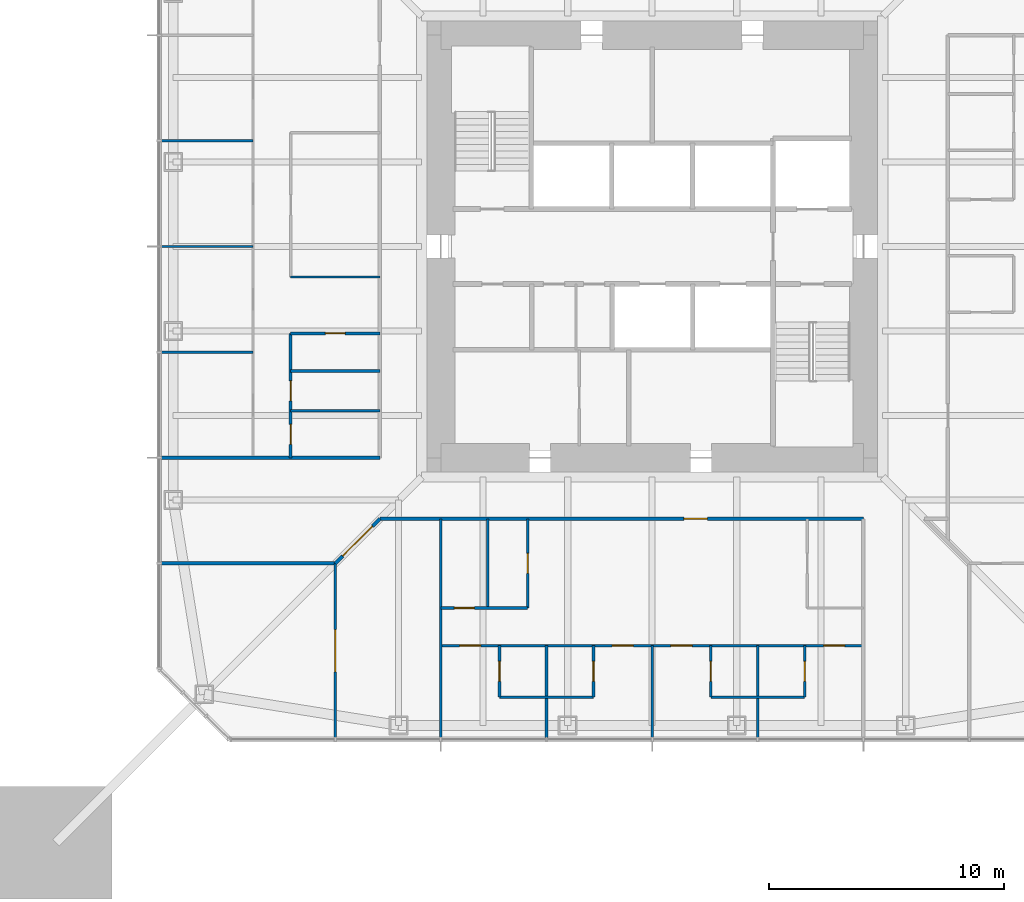
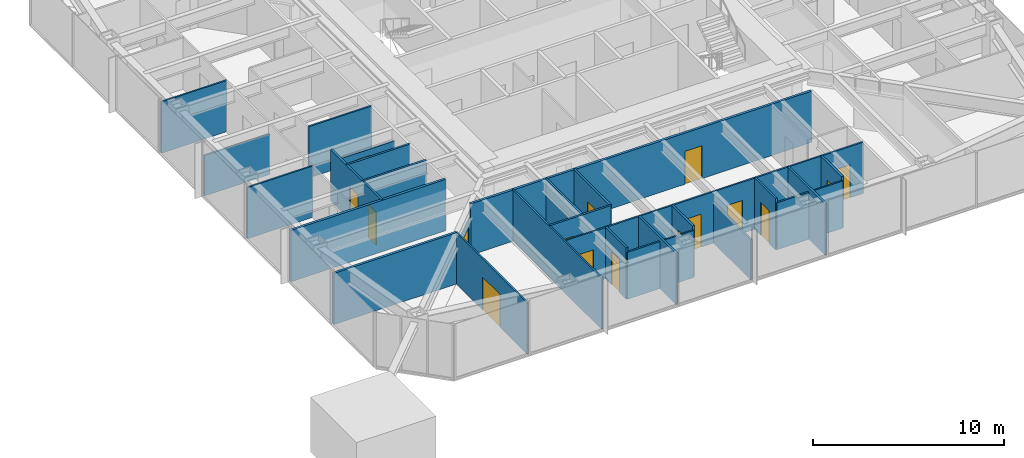
# One storey, part 15 of 27: 27 walls, 16 doors, 16 openings.
"""IFC4 building model written with IfcOpenShell, lengths in metres."""

from ifc_helpers import new_model, si_unit, direction, frame, frame_2d, origin, place, context, subcontext, project, spatial, rectangle, extrude, material, layer, layer_set, type_object, element, fill, save


model = new_model("IFC4")

# Units and contexts
model_context = context("Model", 3, precision=1e-05, world=origin(), true_north=direction((0.0, 1.0)))
body_context = subcontext(model_context, "Body", "Model", "MODEL_VIEW")
ifc_project = project(units=[si_unit("LENGTHUNIT", "METRE"), si_unit("AREAUNIT", "SQUARE_METRE"), si_unit("VOLUMEUNIT", "CUBIC_METRE"), si_unit("PLANEANGLEUNIT", "RADIAN"), si_unit("MASSUNIT", "GRAM", prefix="KILO")], contexts=[model_context])

# Site, building, storey
site_placement = place(None, origin())
site = spatial("IfcSite", under=ifc_project, at=site_placement, CompositionType="ELEMENT")
building_placement = place(site_placement, origin())
building = spatial("IfcBuilding", under=site, at=building_placement, Name="Iwan Alto Co-Living Towers", CompositionType="ELEMENT")
storey_placement = place(building_placement, frame((0.0, 0.0, 94.5)))
storey = spatial("IfcBuildingStorey", under=building, at=storey_placement, Name="L25", CompositionType="ELEMENT", Elevation=94.5)

# Wall
ifc_material_1 = material(Name="Gypsum board")
ifc_layer_1 = layer(ifc_material_1, 0.02490234375, Name="Board", Category="Finish")
ifc_material_2 = material(Name="Steel ASTM A1003 ST33H cold-formed studs", Category="steel")
ifc_layer_2 = layer(ifc_material_2, 0.10009765625, Name="Studs", Category="Framing")
ifc_layer_3 = layer(ifc_material_1, 0.02490234375, Name="Board", Category="Finish")
ifc_layer_set_1 = layer_set([ifc_layer_1, ifc_layer_2, ifc_layer_3], Name="CORRIDOR WALL 150")
wall_type_1 = type_object("IfcWallType", Name="CORRIDOR WALL 150", PredefinedType="PARTITIONING", material=ifc_layer_set_1)
wall_1_placement = place(storey_placement, frame((-20.93994140625, -13.5, 0.0), z_axis=(0.0, 0.0, 1.0), x_axis=(1.0, 0.0, 0.0)))
element("IfcWall", 1, at=wall_1_placement, inside=storey, type_object=wall_type_1, Name="Partition L25", PredefinedType="PARTITIONING", context=body_context, shape_type="SweptSolid", body=[
    extrude(rectangle(XDim=7.43994140625, YDim=0.14990234375, at=frame_2d((3.719970703125, 0.0))), origin(), (0.0, 0.0, 1.0), 3.27001953125),
])

# Wall, opening, door
wall_2_placement = place(storey_placement, frame((-11.60009765625, -11.60009765625, 0.0), z_axis=(0.0, 0.0, 1.0), x_axis=(1.0, 0.0, 0.0)))
wall_2 = element("IfcWall", 2, at=wall_2_placement, inside=storey, type_object=wall_type_1, Name="Partition L25", PredefinedType="PARTITIONING", context=body_context, shape_type="SweptSolid", body=[
    extrude(rectangle(XDim=20.60009765625, YDim=0.14990234375, at=frame_2d((10.300048828125, 0.0))), origin(), (0.0, 0.0, 1.0), 3.27001953125),
])
opening_1_placement = place(wall_2_placement, frame((12.949951171875, 0.0, 0.0)))
opening_1 = element("IfcOpeningElement", 3, at=opening_1_placement, cuts=wall_2, Name="Opening D3", PredefinedType="OPENING", context=body_context, shape_type="SweptSolid", body=[
    extrude(rectangle(XDim=1.0, YDim=2.10009765625, at=frame_2d((0.5, 1.050048828125))), frame((0.0, 0.0849609375, 0.0), z_axis=(0.0, -1.0, 0.0), x_axis=(1.0, 0.0, 0.0)), (0.0, 0.0, 1.0), 0.169921875),
])
ifc_material_3 = material(Name="Steel frame with timber leaf", Category="steel")
door_type_1 = type_object("IfcDoorType", Name="FLAT ENTRANCE DOOR FD30S 1000X2100", OperationType="SINGLE_SWING_LEFT", PredefinedType="DOOR", material=ifc_material_3)
door_1_placement = place(opening_1_placement, frame((1.0, 0.0, 0.0), z_axis=(0.0, 0.0, 1.0), x_axis=(-1.0, 0.0, 0.0)))
door_1 = element("IfcDoor", 4, at=door_1_placement, inside=storey, type_object=door_type_1, Name="Cluster lounge and shared kitchen door L25", OperationType="SINGLE_SWING_LEFT", OverallHeight=2.10009765625, OverallWidth=1.0, PredefinedType="DOOR", context=body_context, shape_type="SweptSolid", body=[
    extrude(rectangle(XDim=1.0, YDim=2.10009765625, at=frame_2d((0.5, 1.050048828125))), frame((0.0, 0.02490234375, 0.0), z_axis=(0.0, -1.0, 0.0), x_axis=(1.0, 0.0, 0.0)), (0.0, 0.0, 1.0), 0.050048828125),
])
fill(opening_1, door_1)

# Wall
wall_3_placement = place(storey_placement, frame((-20.93994140625, -9.0, 0.0), z_axis=(0.0, 0.0, 1.0), x_axis=(1.0, 0.0, 0.0)))
element("IfcWall", 5, at=wall_3_placement, inside=storey, type_object=wall_type_1, Name="Partition L25", PredefinedType="PARTITIONING", context=body_context, shape_type="SweptSolid", body=[
    extrude(rectangle(XDim=9.33984375, YDim=0.14990234375, at=frame_2d((4.669921875, 0.0))), origin(), (0.0, 0.0, 1.0), 3.27001953125),
])

# Wall, opening, door
wall_4_placement = place(storey_placement, frame((-13.5, -13.5, 0.0), z_axis=(0.0, 0.0, 1.0), x_axis=(0.707106781187, 0.707106781187, 0.0)))
wall_4 = element("IfcWall", 6, at=wall_4_placement, inside=storey, type_object=wall_type_1, Name="Partition L25", PredefinedType="PARTITIONING", context=body_context, shape_type="SweptSolid", body=[
    extrude(rectangle(XDim=2.686767578125, YDim=0.14990234375, at=frame_2d((1.34326171875, 0.0))), origin(), (0.0, 0.0, 1.0), 2.343017578125),
])
opening_2_placement = place(wall_4_placement, frame((0.444091796875, 0.0, 0.0)))
opening_2 = element("IfcOpeningElement", 7, at=opening_2_placement, cuts=wall_4, Name="Opening D9", PredefinedType="OPENING", context=body_context, shape_type="SweptSolid", body=[
    extrude(rectangle(XDim=1.800048828125, YDim=2.10009765625, at=frame_2d((0.89990234375, 1.050048828125))), frame((0.0, 0.0849609375, 0.0), z_axis=(0.0, -1.0, 0.0), x_axis=(1.0, 0.0, 0.0)), (0.0, 0.0, 1.0), 0.169921875),
])
ifc_material_4 = material(Name="Steel frame with timber leaf", Category="steel")
door_type_2 = type_object("IfcDoorType", Name="LOUNGE DOOR FD30S 1800X2100", OperationType="DOUBLE_DOOR_SINGLE_SWING", PredefinedType="DOOR", material=ifc_material_4)
door_2_placement = place(opening_2_placement, frame((1.800048828125, 0.0, 0.0), z_axis=(0.0, 0.0, 1.0), x_axis=(-1.0, 0.0, 0.0)))
door_2 = element("IfcDoor", 8, at=door_2_placement, inside=storey, type_object=door_type_2, Name="Seminar room door L25", OperationType="DOUBLE_DOOR_SINGLE_SWING", OverallHeight=2.10009765625, OverallWidth=1.800048828125, PredefinedType="DOOR", context=body_context, shape_type="SweptSolid", body=[
    extrude(rectangle(XDim=1.800048828125, YDim=2.10009765625, at=frame_2d((0.89990234375, 1.050048828125))), frame((0.0, 0.02490234375, 0.0), z_axis=(0.0, -1.0, 0.0), x_axis=(1.0, 0.0, 0.0)), (0.0, 0.0, 1.0), 0.050048828125),
])
fill(opening_2, door_2)

# Walls
ifc_layer_4 = layer(ifc_material_1, 0.012451171875, Name="Board", Category="Finish")
ifc_layer_5 = layer(ifc_material_2, 0.074951171875, Name="Studs", Category="Framing")
ifc_layer_6 = layer(ifc_material_1, 0.012451171875, Name="Board", Category="Finish")
ifc_layer_set_2 = layer_set([ifc_layer_4, ifc_layer_5, ifc_layer_6], Name="PARTITION 100")
wall_type_2 = type_object("IfcWallType", Name="PARTITION 100", PredefinedType="PARTITIONING", material=ifc_layer_set_2)
for number, where, z_axis, x_axis, name in (
    (9, (-6.5, -19.199951171875, 0.0), (0.0, 0.0, 1.0), (1.0, 0.0, 0.0), "Partition L25"),
    (10, (2.5, -19.199951171875, 0.0), (0.0, 0.0, 1.0), (1.0, 0.0, 0.0), "Partition L25"),
):
    element("IfcWall", number, at=place(storey_placement, frame(where, z_axis=z_axis, x_axis=x_axis)), inside=storey, type_object=wall_type_2, Name=name, PredefinedType="PARTITIONING", context=body_context, shape_type="SweptSolid", body=[
        extrude(rectangle(XDim=4.0, YDim=0.10009765625, at=frame_2d((2.0, 0.0))), origin(), (0.0, 0.0, 1.0), 3.0),
    ])

# Wall, openings, doors
wall_5_placement = place(storey_placement, frame((-9.0, -17.0, 0.0), z_axis=(0.0, 0.0, 1.0), x_axis=(1.0, 0.0, 0.0)))
wall_5 = element("IfcWall", 11, at=wall_5_placement, inside=storey, type_object=wall_type_2, Name="Partition L25", PredefinedType="PARTITIONING", context=body_context, shape_type="SweptSolid", body=[
    extrude(rectangle(XDim=18.0, YDim=0.10009765625, at=frame_2d((9.0, 0.0))), origin(), (0.0, 0.0, 1.0), 3.27001953125),
])
opening_3_placement = place(wall_5_placement, frame((0.800048828125, 0.0, 0.0)))
opening_3 = element("IfcOpeningElement", 12, at=opening_3_placement, cuts=wall_5, Name="Opening D1", PredefinedType="OPENING", context=body_context, shape_type="SweptSolid", body=[
    extrude(rectangle(XDim=0.89990234375, YDim=2.10009765625, at=frame_2d((0.449951171875, 1.050048828125))), frame((0.0, 0.06005859375, 0.0), z_axis=(0.0, -1.0, 0.0), x_axis=(1.0, 0.0, 0.0)), (0.0, 0.0, 1.0), 0.1201171875),
])
opening_4_placement = place(wall_5_placement, frame((7.300048828125, 0.0, 0.0)))
opening_4 = element("IfcOpeningElement", 13, at=opening_4_placement, cuts=wall_5, Name="Opening D1", PredefinedType="OPENING", context=body_context, shape_type="SweptSolid", body=[
    extrude(rectangle(XDim=0.89990234375, YDim=2.10009765625, at=frame_2d((0.449951171875, 1.050048828125))), frame((0.0, 0.06005859375, 0.0), z_axis=(0.0, -1.0, 0.0), x_axis=(1.0, 0.0, 0.0)), (0.0, 0.0, 1.0), 0.1201171875),
])
opening_5_placement = place(wall_5_placement, frame((9.800048828125, 0.0, 0.0)))
opening_5 = element("IfcOpeningElement", 14, at=opening_5_placement, cuts=wall_5, Name="Opening D1", PredefinedType="OPENING", context=body_context, shape_type="SweptSolid", body=[
    extrude(rectangle(XDim=0.89990234375, YDim=2.10009765625, at=frame_2d((0.449951171875, 1.050048828125))), frame((0.0, 0.06005859375, 0.0), z_axis=(0.0, -1.0, 0.0), x_axis=(1.0, 0.0, 0.0)), (0.0, 0.0, 1.0), 0.1201171875),
])
opening_6_placement = place(wall_5_placement, frame((16.300048828125, 0.0, 0.0)))
opening_6 = element("IfcOpeningElement", 15, at=opening_6_placement, cuts=wall_5, Name="Opening D1", PredefinedType="OPENING", context=body_context, shape_type="SweptSolid", body=[
    extrude(rectangle(XDim=0.89990234375, YDim=2.10009765625, at=frame_2d((0.449951171875, 1.050048828125))), frame((0.0, 0.06005859375, 0.0), z_axis=(0.0, -1.0, 0.0), x_axis=(1.0, 0.0, 0.0)), (0.0, 0.0, 1.0), 0.1201171875),
])
ifc_material_5 = material(Name="Timber leaf in steel frame", Category="steel")
door_type_3 = type_object("IfcDoorType", Name="BEDROOM DOOR 900X2100", OperationType="SINGLE_SWING_LEFT", PredefinedType="DOOR", material=ifc_material_5)
door_3_placement = place(opening_3_placement, origin())
door_3 = element("IfcDoor", 16, at=door_3_placement, inside=storey, type_object=door_type_3, Name="Study bedroom door L25", OperationType="SINGLE_SWING_LEFT", OverallHeight=2.10009765625, OverallWidth=0.89990234375, PredefinedType="DOOR", context=body_context, shape_type="SweptSolid", body=[
    extrude(rectangle(XDim=0.89990234375, YDim=2.10009765625, at=frame_2d((0.449951171875, 1.050048828125))), frame((0.0, 0.02490234375, 0.0), z_axis=(0.0, -1.0, 0.0), x_axis=(1.0, 0.0, 0.0)), (0.0, 0.0, 1.0), 0.050048828125),
])
fill(opening_3, door_3)
door_4_placement = place(opening_4_placement, origin())
door_4 = element("IfcDoor", 17, at=door_4_placement, inside=storey, type_object=door_type_3, Name="Study bedroom door L25", OperationType="SINGLE_SWING_LEFT", OverallHeight=2.10009765625, OverallWidth=0.89990234375, PredefinedType="DOOR", context=body_context, shape_type="SweptSolid", body=[
    extrude(rectangle(XDim=0.89990234375, YDim=2.10009765625, at=frame_2d((0.449951171875, 1.050048828125))), frame((0.0, 0.02490234375, 0.0), z_axis=(0.0, -1.0, 0.0), x_axis=(1.0, 0.0, 0.0)), (0.0, 0.0, 1.0), 0.050048828125),
])
fill(opening_4, door_4)
door_5_placement = place(opening_5_placement, origin())
door_5 = element("IfcDoor", 18, at=door_5_placement, inside=storey, type_object=door_type_3, Name="Study bedroom door L25", OperationType="SINGLE_SWING_RIGHT", OverallHeight=2.10009765625, OverallWidth=0.89990234375, PredefinedType="DOOR", context=body_context, shape_type="SweptSolid", body=[
    extrude(rectangle(XDim=0.89990234375, YDim=2.10009765625, at=frame_2d((0.449951171875, 1.050048828125))), frame((0.0, 0.02490234375, 0.0), z_axis=(0.0, -1.0, 0.0), x_axis=(1.0, 0.0, 0.0)), (0.0, 0.0, 1.0), 0.050048828125),
])
fill(opening_5, door_5)
door_6_placement = place(opening_6_placement, origin())
door_6 = element("IfcDoor", 19, at=door_6_placement, inside=storey, type_object=door_type_3, Name="Study bedroom door L25", OperationType="SINGLE_SWING_RIGHT", OverallHeight=2.10009765625, OverallWidth=0.89990234375, PredefinedType="DOOR", context=body_context, shape_type="SweptSolid", body=[
    extrude(rectangle(XDim=0.89990234375, YDim=2.10009765625, at=frame_2d((0.449951171875, 1.050048828125))), frame((0.0, 0.02490234375, 0.0), z_axis=(0.0, -1.0, 0.0), x_axis=(1.0, 0.0, 0.0)), (0.0, 0.0, 1.0), 0.050048828125),
])
fill(opening_6, door_6)

# Walls
wall_6_placement = place(storey_placement, frame((-20.93994140625, -4.5, 0.0), z_axis=(0.0, 0.0, 1.0), x_axis=(1.0, 0.0, 0.0)))
element("IfcWall", 20, at=wall_6_placement, inside=storey, type_object=wall_type_2, Name="Partition L25", PredefinedType="PARTITIONING", context=body_context, shape_type="SweptSolid", body=[
    extrude(rectangle(XDim=3.93994140625, YDim=0.10009765625, at=frame_2d((1.969970703125, 0.0))), origin(), (0.0, 0.0, 1.0), 3.27001953125),
])
wall_7_placement = place(storey_placement, frame((-15.39990234375, -1.300048828125, 0.0), z_axis=(0.0, 0.0, 1.0), x_axis=(1.0, 0.0, 0.0)))
element("IfcWall", 21, at=wall_7_placement, inside=storey, type_object=wall_type_2, Name="Partition L25", PredefinedType="PARTITIONING", context=body_context, shape_type="SweptSolid", body=[
    extrude(rectangle(XDim=3.7998046875, YDim=0.10009765625, at=frame_2d((1.89990234375, 0.0))), origin(), (0.0, 0.0, 1.0), 3.27001953125),
])
wall_8_placement = place(storey_placement, frame((-20.93994140625, 0.0, 0.0), z_axis=(0.0, 0.0, 1.0), x_axis=(1.0, 0.0, 0.0)))
element("IfcWall", 22, at=wall_8_placement, inside=storey, type_object=wall_type_2, Name="Partition L25", PredefinedType="PARTITIONING", context=body_context, shape_type="SweptSolid", body=[
    extrude(rectangle(XDim=3.93994140625, YDim=0.10009765625, at=frame_2d((1.969970703125, 0.0))), origin(), (0.0, 0.0, 1.0), 2.586669921875),
])
wall_9_placement = place(storey_placement, frame((-20.93994140625, 4.5, 0.0), z_axis=(0.0, 0.0, 1.0), x_axis=(1.0, 0.0, 0.0)))
element("IfcWall", 23, at=wall_9_placement, inside=storey, type_object=wall_type_2, Name="Partition L25", PredefinedType="PARTITIONING", context=body_context, shape_type="SweptSolid", body=[
    extrude(rectangle(XDim=3.93994140625, YDim=0.10009765625, at=frame_2d((1.969970703125, 0.0))), origin(), (0.0, 0.0, 1.0), 3.27001953125),
])
wall_10_placement = place(storey_placement, frame((0.0, -20.93994140625, 0.0), z_axis=(0.0, 0.0, 1.0), x_axis=(0.0, 1.0, 0.0)))
element("IfcWall", 24, at=wall_10_placement, inside=storey, type_object=wall_type_2, Name="Partition L25", PredefinedType="PARTITIONING", context=body_context, shape_type="SweptSolid", body=[
    extrude(rectangle(XDim=3.93994140625, YDim=0.10009765625, at=frame_2d((1.969970703125, 0.0))), origin(), (0.0, 0.0, 1.0), 2.586669921875),
])
wall_11_placement = place(storey_placement, frame((-9.0, -20.93994140625, 0.0), z_axis=(0.0, 0.0, 1.0), x_axis=(0.0, 1.0, 0.0)))
element("IfcWall", 25, at=wall_11_placement, inside=storey, type_object=wall_type_2, Name="Partition L25", PredefinedType="PARTITIONING", context=body_context, shape_type="SweptSolid", body=[
    extrude(rectangle(XDim=9.33984375, YDim=0.10009765625, at=frame_2d((4.669921875, 0.0))), origin(), (0.0, 0.0, 1.0), 3.27001953125),
])

# Wall, opening, door
wall_12_placement = place(storey_placement, frame((-13.5, -20.93994140625, 0.0), z_axis=(0.0, 0.0, 1.0), x_axis=(0.0, 1.0, 0.0)))
wall_12 = element("IfcWall", 26, at=wall_12_placement, inside=storey, type_object=wall_type_2, Name="Partition L25", PredefinedType="PARTITIONING", context=body_context, shape_type="SweptSolid", body=[
    extrude(rectangle(XDim=7.43994140625, YDim=0.10009765625, at=frame_2d((3.719970703125, 0.0))), origin(), (0.0, 0.0, 1.0), 3.27001953125),
])
opening_7_placement = place(wall_12_placement, frame((2.820068359375, 0.0, 0.0)))
opening_7 = element("IfcOpeningElement", 27, at=opening_7_placement, cuts=wall_12, Name="Opening D14", PredefinedType="OPENING", context=body_context, shape_type="SweptSolid", body=[
    extrude(rectangle(XDim=1.800048828125, YDim=2.10009765625, at=frame_2d((0.89990234375, 1.050048828125))), frame((0.0, 0.06005859375, 0.0), z_axis=(0.0, -1.0, 0.0), x_axis=(1.0, 0.0, 0.0)), (0.0, 0.0, 1.0), 0.1201171875),
])
ifc_material_6 = material(Name="Timber leaf in steel frame", Category="steel")
door_type_4 = type_object("IfcDoorType", Name="LOUNGE DOOR 1800X2100", OperationType="DOUBLE_DOOR_SINGLE_SWING", PredefinedType="DOOR", material=ifc_material_6)
door_7_placement = place(opening_7_placement, origin())
door_7 = element("IfcDoor", 28, at=door_7_placement, inside=storey, type_object=door_type_4, Name="Courtyard lounge door L25", OperationType="DOUBLE_DOOR_SINGLE_SWING", OverallHeight=2.10009765625, OverallWidth=1.800048828125, PredefinedType="DOOR", context=body_context, shape_type="SweptSolid", body=[
    extrude(rectangle(XDim=1.800048828125, YDim=2.10009765625, at=frame_2d((0.89990234375, 1.050048828125))), frame((0.0, 0.02490234375, 0.0), z_axis=(0.0, -1.0, 0.0), x_axis=(1.0, 0.0, 0.0)), (0.0, 0.0, 1.0), 0.050048828125),
])
fill(opening_7, door_7)

ifc_material_7 = material(Name="Cement board")
ifc_layer_7 = layer(ifc_material_7, 0.012451171875, Name="Board", Category="Finish")
ifc_layer_8 = layer(ifc_material_2, 0.094970703125, Name="Studs", Category="Framing")
ifc_layer_9 = layer(ifc_material_7, 0.012451171875, Name="Board", Category="Finish")
ifc_layer_set_3 = layer_set([ifc_layer_7, ifc_layer_8, ifc_layer_9], Name="WET AREA PARTITION 120")
wall_type_3 = type_object("IfcWallType", Name="WET AREA PARTITION 120", PredefinedType="PARTITIONING", material=ifc_layer_set_3)
wall_13_placement = place(storey_placement, frame((-9.0, -15.39990234375, 0.0), z_axis=(0.0, 0.0, 1.0), x_axis=(1.0, 0.0, 0.0)))
wall_13 = element("IfcWall", 29, at=wall_13_placement, inside=storey, type_object=wall_type_3, Name="Partition L25", PredefinedType="PARTITIONING", context=body_context, shape_type="SweptSolid", body=[
    extrude(rectangle(XDim=3.699951171875, YDim=0.1201171875, at=frame_2d((1.85009765625, 0.0))), origin(), (0.0, 0.0, 1.0), 3.27001953125),
])
opening_8_placement = place(wall_13_placement, frame((0.574951171875, 0.0, 0.0)))
opening_8 = element("IfcOpeningElement", 30, at=opening_8_placement, cuts=wall_13, Name="Opening D2", PredefinedType="OPENING", context=body_context, shape_type="SweptSolid", body=[
    extrude(rectangle(XDim=0.85009765625, YDim=2.10009765625, at=frame_2d((0.425048828125, 1.050048828125))), frame((0.0, 0.070068359375, 0.0), z_axis=(0.0, -1.0, 0.0), x_axis=(1.0, 0.0, 0.0)), (0.0, 0.0, 1.0), 0.14013671875),
])
ifc_material_8 = material(Name="Timber leaf in steel frame", Category="steel")
door_type_5 = type_object("IfcDoorType", Name="ROOM DOOR 850X2100", OperationType="SINGLE_SWING_LEFT", PredefinedType="DOOR", material=ifc_material_8)
door_8_placement = place(opening_8_placement, frame((0.85009765625, 0.0, 0.0), z_axis=(0.0, 0.0, 1.0), x_axis=(-1.0, 0.0, 0.0)))
door_8 = element("IfcDoor", 31, at=door_8_placement, inside=storey, type_object=door_type_5, Name="Laundry door L25", OperationType="SINGLE_SWING_RIGHT", OverallHeight=2.10009765625, OverallWidth=0.85009765625, PredefinedType="DOOR", context=body_context, shape_type="SweptSolid", body=[
    extrude(rectangle(XDim=0.85009765625, YDim=2.10009765625, at=frame_2d((0.425048828125, 1.050048828125))), frame((0.0, 0.02490234375, 0.0), z_axis=(0.0, -1.0, 0.0), x_axis=(1.0, 0.0, 0.0)), (0.0, 0.0, 1.0), 0.050048828125),
])
fill(opening_8, door_8)

# Walls
for number, where, z_axis, x_axis, name in (
    (32, (-15.39990234375, -7.0, 0.0), (0.0, 0.0, 1.0), (1.0, 0.0, 0.0), "Partition L25"),
    (33, (-15.39990234375, -5.300048828125, 0.0), (0.0, 0.0, 1.0), (1.0, 0.0, 0.0), "Partition L25"),
):
    element("IfcWall", number, at=place(storey_placement, frame(where, z_axis=z_axis, x_axis=x_axis)), inside=storey, type_object=wall_type_3, Name=name, PredefinedType="PARTITIONING", context=body_context, shape_type="SweptSolid", body=[
        extrude(rectangle(XDim=3.7998046875, YDim=0.1201171875, at=frame_2d((1.89990234375, 0.0))), origin(), (0.0, 0.0, 1.0), 3.27001953125),
    ])

# Wall, opening, door
wall_14_placement = place(storey_placement, frame((-15.39990234375, -3.699951171875, 0.0), z_axis=(0.0, 0.0, 1.0), x_axis=(1.0, 0.0, 0.0)))
wall_14 = element("IfcWall", 34, at=wall_14_placement, inside=storey, type_object=wall_type_3, Name="Partition L25", PredefinedType="PARTITIONING", context=body_context, shape_type="SweptSolid", body=[
    extrude(rectangle(XDim=3.7998046875, YDim=0.1201171875, at=frame_2d((1.89990234375, 0.0))), origin(), (0.0, 0.0, 1.0), 2.508056640625),
])
opening_9_placement = place(wall_14_placement, frame((1.47509765625, 0.0, 0.0)))
opening_9 = element("IfcOpeningElement", 35, at=opening_9_placement, cuts=wall_14, Name="Opening D2", PredefinedType="OPENING", context=body_context, shape_type="SweptSolid", body=[
    extrude(rectangle(XDim=0.85009765625, YDim=2.10009765625, at=frame_2d((0.425048828125, 1.050048828125))), frame((0.0, 0.070068359375, 0.0), z_axis=(0.0, -1.0, 0.0), x_axis=(1.0, 0.0, 0.0)), (0.0, 0.0, 1.0), 0.14013671875),
])
door_9_placement = place(opening_9_placement, origin())
door_9 = element("IfcDoor", 36, at=door_9_placement, inside=storey, type_object=door_type_5, Name="Bathroom door L25", OperationType="SINGLE_SWING_RIGHT", OverallHeight=2.10009765625, OverallWidth=0.85009765625, PredefinedType="DOOR", context=body_context, shape_type="SweptSolid", body=[
    extrude(rectangle(XDim=0.85009765625, YDim=2.10009765625, at=frame_2d((0.425048828125, 1.050048828125))), frame((0.0, 0.02490234375, 0.0), z_axis=(0.0, -1.0, 0.0), x_axis=(1.0, 0.0, 0.0)), (0.0, 0.0, 1.0), 0.050048828125),
])
fill(opening_9, door_9)

wall_15_placement = place(storey_placement, frame((6.5, -19.199951171875, 0.0), z_axis=(0.0, 0.0, 1.0), x_axis=(0.0, 1.0, 0.0)))
wall_15 = element("IfcWall", 37, at=wall_15_placement, inside=storey, type_object=wall_type_3, Name="Partition L25", PredefinedType="PARTITIONING", context=body_context, shape_type="SweptSolid", body=[
    extrude(rectangle(XDim=2.199951171875, YDim=0.1201171875, at=frame_2d((1.10009765625, 0.0))), origin(), (0.0, 0.0, 1.0), 3.27001953125),
])
opening_10_placement = place(wall_15_placement, frame((0.675048828125, 0.0, 0.0)))
opening_10 = element("IfcOpeningElement", 38, at=opening_10_placement, cuts=wall_15, Name="Opening D2", PredefinedType="OPENING", context=body_context, shape_type="SweptSolid", body=[
    extrude(rectangle(XDim=0.85009765625, YDim=2.10009765625, at=frame_2d((0.425048828125, 1.050048828125))), frame((0.0, 0.070068359375, 0.0), z_axis=(0.0, -1.0, 0.0), x_axis=(1.0, 0.0, 0.0)), (0.0, 0.0, 1.0), 0.14013671875),
])
door_10_placement = place(opening_10_placement, frame((0.85009765625, 0.0, 0.0), z_axis=(0.0, 0.0, 1.0), x_axis=(-1.0, 0.0, 0.0)))
door_10 = element("IfcDoor", 39, at=door_10_placement, inside=storey, type_object=door_type_5, Name="En-suite shower room door L25", OperationType="SINGLE_SWING_LEFT", OverallHeight=2.10009765625, OverallWidth=0.85009765625, PredefinedType="DOOR", context=body_context, shape_type="SweptSolid", body=[
    extrude(rectangle(XDim=0.85009765625, YDim=2.10009765625, at=frame_2d((0.425048828125, 1.050048828125))), frame((0.0, 0.02490234375, 0.0), z_axis=(0.0, -1.0, 0.0), x_axis=(1.0, 0.0, 0.0)), (0.0, 0.0, 1.0), 0.050048828125),
])
fill(opening_10, door_10)

# Wall
wall_16_placement = place(storey_placement, frame((4.5, -20.93994140625, 0.0), z_axis=(0.0, 0.0, 1.0), x_axis=(0.0, 1.0, 0.0)))
element("IfcWall", 40, at=wall_16_placement, inside=storey, type_object=wall_type_3, Name="Partition L25", PredefinedType="PARTITIONING", context=body_context, shape_type="SweptSolid", body=[
    extrude(rectangle(XDim=3.93994140625, YDim=0.1201171875, at=frame_2d((1.969970703125, 0.0))), origin(), (0.0, 0.0, 1.0), 3.27001953125),
])

# Wall, opening, door
wall_17_placement = place(storey_placement, frame((2.5, -19.199951171875, 0.0), z_axis=(0.0, 0.0, 1.0), x_axis=(0.0, 1.0, 0.0)))
wall_17 = element("IfcWall", 41, at=wall_17_placement, inside=storey, type_object=wall_type_3, Name="Partition L25", PredefinedType="PARTITIONING", context=body_context, shape_type="SweptSolid", body=[
    extrude(rectangle(XDim=2.199951171875, YDim=0.1201171875, at=frame_2d((1.10009765625, 0.0))), origin(), (0.0, 0.0, 1.0), 3.27001953125),
])
opening_11_placement = place(wall_17_placement, frame((0.675048828125, 0.0, 0.0)))
opening_11 = element("IfcOpeningElement", 42, at=opening_11_placement, cuts=wall_17, Name="Opening D2", PredefinedType="OPENING", context=body_context, shape_type="SweptSolid", body=[
    extrude(rectangle(XDim=0.85009765625, YDim=2.10009765625, at=frame_2d((0.425048828125, 1.050048828125))), frame((0.0, 0.070068359375, 0.0), z_axis=(0.0, -1.0, 0.0), x_axis=(1.0, 0.0, 0.0)), (0.0, 0.0, 1.0), 0.14013671875),
])
door_11_placement = place(opening_11_placement, origin())
door_11 = element("IfcDoor", 43, at=door_11_placement, inside=storey, type_object=door_type_5, Name="En-suite shower room door L25", OperationType="SINGLE_SWING_RIGHT", OverallHeight=2.10009765625, OverallWidth=0.85009765625, PredefinedType="DOOR", context=body_context, shape_type="SweptSolid", body=[
    extrude(rectangle(XDim=0.85009765625, YDim=2.10009765625, at=frame_2d((0.425048828125, 1.050048828125))), frame((0.0, 0.02490234375, 0.0), z_axis=(0.0, -1.0, 0.0), x_axis=(1.0, 0.0, 0.0)), (0.0, 0.0, 1.0), 0.050048828125),
])
fill(opening_11, door_11)

wall_18_placement = place(storey_placement, frame((-2.5, -19.199951171875, 0.0), z_axis=(0.0, 0.0, 1.0), x_axis=(0.0, 1.0, 0.0)))
wall_18 = element("IfcWall", 44, at=wall_18_placement, inside=storey, type_object=wall_type_3, Name="Partition L25", PredefinedType="PARTITIONING", context=body_context, shape_type="SweptSolid", body=[
    extrude(rectangle(XDim=2.199951171875, YDim=0.1201171875, at=frame_2d((1.10009765625, 0.0))), origin(), (0.0, 0.0, 1.0), 3.27001953125),
])
opening_12_placement = place(wall_18_placement, frame((0.675048828125, 0.0, 0.0)))
opening_12 = element("IfcOpeningElement", 45, at=opening_12_placement, cuts=wall_18, Name="Opening D2", PredefinedType="OPENING", context=body_context, shape_type="SweptSolid", body=[
    extrude(rectangle(XDim=0.85009765625, YDim=2.10009765625, at=frame_2d((0.425048828125, 1.050048828125))), frame((0.0, 0.070068359375, 0.0), z_axis=(0.0, -1.0, 0.0), x_axis=(1.0, 0.0, 0.0)), (0.0, 0.0, 1.0), 0.14013671875),
])
door_12_placement = place(opening_12_placement, frame((0.85009765625, 0.0, 0.0), z_axis=(0.0, 0.0, 1.0), x_axis=(-1.0, 0.0, 0.0)))
door_12 = element("IfcDoor", 46, at=door_12_placement, inside=storey, type_object=door_type_5, Name="En-suite shower room door L25", OperationType="SINGLE_SWING_LEFT", OverallHeight=2.10009765625, OverallWidth=0.85009765625, PredefinedType="DOOR", context=body_context, shape_type="SweptSolid", body=[
    extrude(rectangle(XDim=0.85009765625, YDim=2.10009765625, at=frame_2d((0.425048828125, 1.050048828125))), frame((0.0, 0.02490234375, 0.0), z_axis=(0.0, -1.0, 0.0), x_axis=(1.0, 0.0, 0.0)), (0.0, 0.0, 1.0), 0.050048828125),
])
fill(opening_12, door_12)

# Wall
wall_19_placement = place(storey_placement, frame((-4.5, -20.93994140625, 0.0), z_axis=(0.0, 0.0, 1.0), x_axis=(0.0, 1.0, 0.0)))
element("IfcWall", 47, at=wall_19_placement, inside=storey, type_object=wall_type_3, Name="Partition L25", PredefinedType="PARTITIONING", context=body_context, shape_type="SweptSolid", body=[
    extrude(rectangle(XDim=3.93994140625, YDim=0.1201171875, at=frame_2d((1.969970703125, 0.0))), origin(), (0.0, 0.0, 1.0), 3.27001953125),
])

# Wall, opening, door
wall_20_placement = place(storey_placement, frame((-5.300048828125, -15.39990234375, 0.0), z_axis=(0.0, 0.0, 1.0), x_axis=(0.0, 1.0, 0.0)))
wall_20 = element("IfcWall", 48, at=wall_20_placement, inside=storey, type_object=wall_type_3, Name="Partition L25", PredefinedType="PARTITIONING", context=body_context, shape_type="SweptSolid", body=[
    extrude(rectangle(XDim=3.7998046875, YDim=0.1201171875, at=frame_2d((1.89990234375, 0.0))), origin(), (0.0, 0.0, 1.0), 3.27001953125),
])
opening_13_placement = place(wall_20_placement, frame((1.47509765625, 0.0, 0.0)))
opening_13 = element("IfcOpeningElement", 49, at=opening_13_placement, cuts=wall_20, Name="Opening D2", PredefinedType="OPENING", context=body_context, shape_type="SweptSolid", body=[
    extrude(rectangle(XDim=0.85009765625, YDim=2.10009765625, at=frame_2d((0.425048828125, 1.050048828125))), frame((0.0, 0.070068359375, 0.0), z_axis=(0.0, -1.0, 0.0), x_axis=(1.0, 0.0, 0.0)), (0.0, 0.0, 1.0), 0.14013671875),
])
door_13_placement = place(opening_13_placement, frame((0.85009765625, 0.0, 0.0), z_axis=(0.0, 0.0, 1.0), x_axis=(-1.0, 0.0, 0.0)))
door_13 = element("IfcDoor", 50, at=door_13_placement, inside=storey, type_object=door_type_5, Name="Bathroom door L25", OperationType="SINGLE_SWING_LEFT", OverallHeight=2.10009765625, OverallWidth=0.85009765625, PredefinedType="DOOR", context=body_context, shape_type="SweptSolid", body=[
    extrude(rectangle(XDim=0.85009765625, YDim=2.10009765625, at=frame_2d((0.425048828125, 1.050048828125))), frame((0.0, 0.02490234375, 0.0), z_axis=(0.0, -1.0, 0.0), x_axis=(1.0, 0.0, 0.0)), (0.0, 0.0, 1.0), 0.050048828125),
])
fill(opening_13, door_13)

wall_21_placement = place(storey_placement, frame((-6.5, -19.199951171875, 0.0), z_axis=(0.0, 0.0, 1.0), x_axis=(0.0, 1.0, 0.0)))
wall_21 = element("IfcWall", 51, at=wall_21_placement, inside=storey, type_object=wall_type_3, Name="Partition L25", PredefinedType="PARTITIONING", context=body_context, shape_type="SweptSolid", body=[
    extrude(rectangle(XDim=2.199951171875, YDim=0.1201171875, at=frame_2d((1.10009765625, 0.0))), origin(), (0.0, 0.0, 1.0), 3.27001953125),
])
opening_14_placement = place(wall_21_placement, frame((0.675048828125, 0.0, 0.0)))
opening_14 = element("IfcOpeningElement", 52, at=opening_14_placement, cuts=wall_21, Name="Opening D2", PredefinedType="OPENING", context=body_context, shape_type="SweptSolid", body=[
    extrude(rectangle(XDim=0.85009765625, YDim=2.10009765625, at=frame_2d((0.425048828125, 1.050048828125))), frame((0.0, 0.070068359375, 0.0), z_axis=(0.0, -1.0, 0.0), x_axis=(1.0, 0.0, 0.0)), (0.0, 0.0, 1.0), 0.14013671875),
])
door_14_placement = place(opening_14_placement, origin())
door_14 = element("IfcDoor", 53, at=door_14_placement, inside=storey, type_object=door_type_5, Name="En-suite shower room door L25", OperationType="SINGLE_SWING_RIGHT", OverallHeight=2.10009765625, OverallWidth=0.85009765625, PredefinedType="DOOR", context=body_context, shape_type="SweptSolid", body=[
    extrude(rectangle(XDim=0.85009765625, YDim=2.10009765625, at=frame_2d((0.425048828125, 1.050048828125))), frame((0.0, 0.02490234375, 0.0), z_axis=(0.0, -1.0, 0.0), x_axis=(1.0, 0.0, 0.0)), (0.0, 0.0, 1.0), 0.050048828125),
])
fill(opening_14, door_14)

# Wall
wall_22_placement = place(storey_placement, frame((-7.0, -15.39990234375, 0.0), z_axis=(0.0, 0.0, 1.0), x_axis=(0.0, 1.0, 0.0)))
element("IfcWall", 54, at=wall_22_placement, inside=storey, type_object=wall_type_3, Name="Partition L25", PredefinedType="PARTITIONING", context=body_context, shape_type="SweptSolid", body=[
    extrude(rectangle(XDim=3.7998046875, YDim=0.1201171875, at=frame_2d((1.89990234375, 0.0))), origin(), (0.0, 0.0, 1.0), 3.27001953125),
])

# Wall, openings, doors
wall_23_placement = place(storey_placement, frame((-15.39990234375, -9.0, 0.0), z_axis=(0.0, 0.0, 1.0), x_axis=(0.0, 1.0, 0.0)))
wall_23 = element("IfcWall", 55, at=wall_23_placement, inside=storey, type_object=wall_type_3, Name="Partition L25", PredefinedType="PARTITIONING", context=body_context, shape_type="SweptSolid", body=[
    extrude(rectangle(XDim=5.300048828125, YDim=0.1201171875, at=frame_2d((2.64990234375, 0.0))), origin(), (0.0, 0.0, 1.0), 3.27001953125),
])
opening_15_placement = place(wall_23_placement, frame((2.425048828125, 0.0, 0.0)))
opening_15 = element("IfcOpeningElement", 56, at=opening_15_placement, cuts=wall_23, Name="Opening D2", PredefinedType="OPENING", context=body_context, shape_type="SweptSolid", body=[
    extrude(rectangle(XDim=0.85009765625, YDim=2.10009765625, at=frame_2d((0.425048828125, 1.050048828125))), frame((0.0, 0.070068359375, 0.0), z_axis=(0.0, -1.0, 0.0), x_axis=(1.0, 0.0, 0.0)), (0.0, 0.0, 1.0), 0.14013671875),
])
opening_16_placement = place(wall_23_placement, frame((0.574951171875, 0.0, 0.0)))
opening_16 = element("IfcOpeningElement", 57, at=opening_16_placement, cuts=wall_23, Name="Opening D2", PredefinedType="OPENING", context=body_context, shape_type="SweptSolid", body=[
    extrude(rectangle(XDim=0.85009765625, YDim=2.10009765625, at=frame_2d((0.425048828125, 1.050048828125))), frame((0.0, 0.070068359375, 0.0), z_axis=(0.0, -1.0, 0.0), x_axis=(1.0, 0.0, 0.0)), (0.0, 0.0, 1.0), 0.14013671875),
])
door_15_placement = place(opening_15_placement, origin())
door_15 = element("IfcDoor", 58, at=door_15_placement, inside=storey, type_object=door_type_5, Name="Bathroom door L25", OperationType="SINGLE_SWING_LEFT", OverallHeight=2.10009765625, OverallWidth=0.85009765625, PredefinedType="DOOR", context=body_context, shape_type="SweptSolid", body=[
    extrude(rectangle(XDim=0.85009765625, YDim=2.10009765625, at=frame_2d((0.425048828125, 1.050048828125))), frame((0.0, 0.02490234375, 0.0), z_axis=(0.0, -1.0, 0.0), x_axis=(1.0, 0.0, 0.0)), (0.0, 0.0, 1.0), 0.050048828125),
])
fill(opening_15, door_15)
door_16_placement = place(opening_16_placement, origin())
door_16 = element("IfcDoor", 59, at=door_16_placement, inside=storey, type_object=door_type_5, Name="Laundry door L25", OperationType="SINGLE_SWING_LEFT", OverallHeight=2.10009765625, OverallWidth=0.85009765625, PredefinedType="DOOR", context=body_context, shape_type="SweptSolid", body=[
    extrude(rectangle(XDim=0.85009765625, YDim=2.10009765625, at=frame_2d((0.425048828125, 1.050048828125))), frame((0.0, 0.02490234375, 0.0), z_axis=(0.0, -1.0, 0.0), x_axis=(1.0, 0.0, 0.0)), (0.0, 0.0, 1.0), 0.050048828125),
])
fill(opening_16, door_16)

save(model, "model.ifc")
